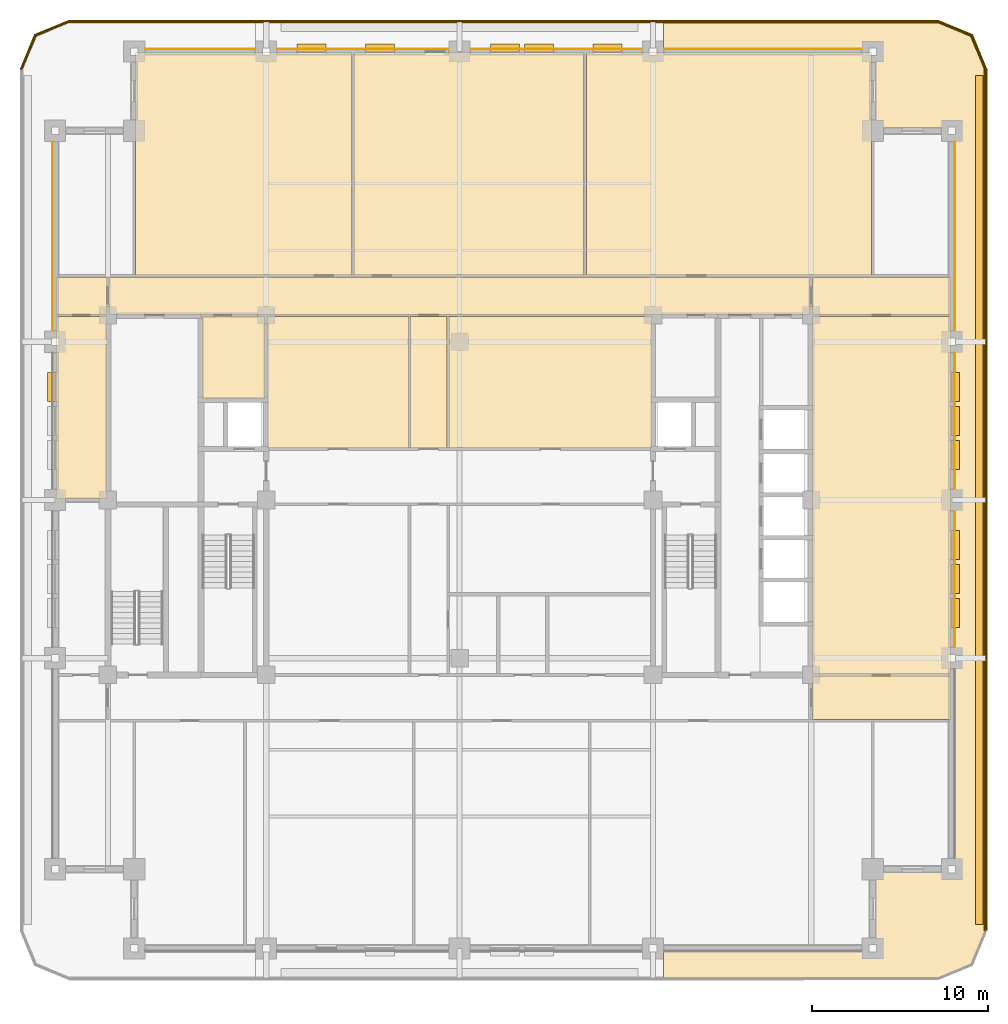
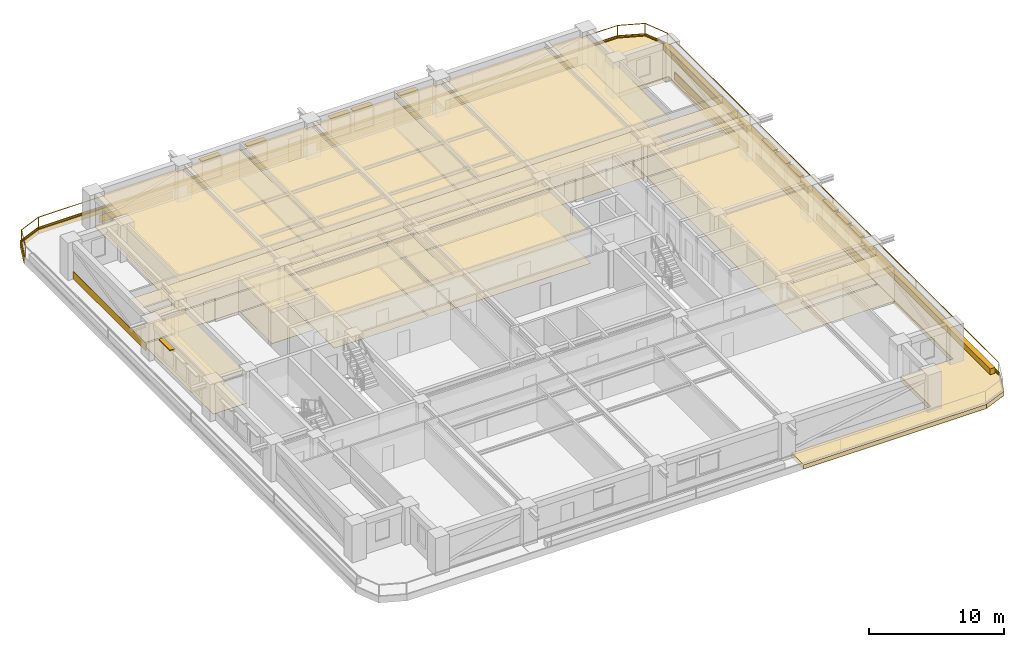
# One storey, part 13 of 13: 42 coverings, 12 shading devices, 2 railings.
"""IFC4 building model written with IfcOpenShell, lengths in metres."""

from ifc_helpers import new_model, si_unit, direction, frame, frame_2d, origin, origin_2d, place, context, subcontext, project, spatial, polyline, rectangle, outline, extrude, material, layer, layer_set, type_object, element, save


model = new_model("IFC4")

# Units and contexts
model_context = context("Model", 3, precision=1e-05, world=origin(), true_north=direction((0.0, 1.0)))
body_context = subcontext(model_context, "Body", "Model", "MODEL_VIEW")
ifc_project = project(units=[si_unit("LENGTHUNIT", "METRE"), si_unit("AREAUNIT", "SQUARE_METRE"), si_unit("VOLUMEUNIT", "CUBIC_METRE"), si_unit("PLANEANGLEUNIT", "RADIAN"), si_unit("MASSUNIT", "GRAM", prefix="KILO")], contexts=[model_context])

# Site, building, storey
site_placement = place(None, origin())
site = spatial("IfcSite", under=ifc_project, at=site_placement, CompositionType="ELEMENT")
building_placement = place(site_placement, origin())
building = spatial("IfcBuilding", under=site, at=building_placement, Name="Zulmaris Gate Convention Tower", CompositionType="ELEMENT")
storey_placement = place(building_placement, frame((0.0, 0.0, 91.35986328125)))
storey = spatial("IfcBuildingStorey", under=building, at=storey_placement, Name="L22", CompositionType="ELEMENT", Elevation=91.35986328125)

# Coverings
ifc_material_1 = material(Name="Precast concrete C40/50", Category="concrete")
ifc_layer_1 = layer(ifc_material_1, 0.0400390625, Name="Precast concrete C40/50")
ifc_layer_set_1 = layer_set([ifc_layer_1], Name="Precast concrete C40/50")
covering_type_1 = type_object("IfcCoveringType", Name="CLAD-SPANDREL-PRECAST", PredefinedType="CLADDING", material=ifc_layer_set_1)
covering_1_placement = place(storey_placement, frame((-11.6298828125, 25.64990234375, 0.0), z_axis=(0.0, 0.0, 1.0), x_axis=(-1.0, 0.0, 0.0)))
element("IfcCovering", 1, at=covering_1_placement, inside=storey, type_object=covering_type_1, Name="CLD-L22-N-0_0", PredefinedType="CLADDING", context=body_context, shape_type="SweptSolid", body=[
    extrude(rectangle(XDim=6.240234375, YDim=0.0400390625, at=frame_2d((3.1201171875, 0.0))), origin(), (0.0, 0.0, 1.0), 0.679931640625),
])
for number, where, z_axis, x_axis, name in (
    (2, (-0.6298828125, 25.64990234375, 0.0), (0.0, 0.0, 1.0), (-1.0, 0.0, 0.0), "CLD-L22-N-1_0"),
    (3, (10.3701171875, 25.64990234375, 0.0), (0.0, 0.0, 1.0), (-1.0, 0.0, 0.0), "CLD-L22-N-2_0"),
):
    element("IfcCovering", number, at=place(storey_placement, frame(where, z_axis=z_axis, x_axis=x_axis)), inside=storey, type_object=covering_type_1, Name=name, PredefinedType="CLADDING", context=body_context, shape_type="SweptSolid", body=[
        extrude(rectangle(XDim=9.740234375, YDim=0.0400390625, at=frame_2d((4.8701171875, 0.0))), origin(), (0.0, 0.0, 1.0), 0.679931640625),
    ])
covering_2_placement = place(storey_placement, frame((22.8701171875, 25.64990234375, 0.0), z_axis=(0.0, 0.0, 1.0), x_axis=(-1.0, 0.0, 0.0)))
element("IfcCovering", 4, at=covering_2_placement, inside=storey, type_object=covering_type_1, Name="CLD-L22-N-3_0", PredefinedType="CLADDING", context=body_context, shape_type="SweptSolid", body=[
    extrude(rectangle(XDim=11.240234375, YDim=0.0400390625, at=frame_2d((5.6201171875, 0.0))), origin(), (0.0, 0.0, 1.0), 0.679931640625),
])
for number, where, z_axis, x_axis, name in (
    (5, (28.14990234375, -8.3701171875, 0.0), (0.0, 0.0, 1.0), (0.0, 1.0, 0.0), "CLD-L22-E-1_0"),
    (6, (28.14990234375, 0.6298828125, 0.0), (0.0, 0.0, 1.0), (0.0, 1.0, 0.0), "CLD-L22-E-2_0"),
):
    element("IfcCovering", number, at=place(storey_placement, frame(where, z_axis=z_axis, x_axis=x_axis)), inside=storey, type_object=covering_type_1, Name=name, PredefinedType="CLADDING", context=body_context, shape_type="SweptSolid", body=[
        extrude(rectangle(XDim=7.740234375, YDim=0.0400390625, at=frame_2d((3.8701171875, 0.0))), origin(), (0.0, 0.0, 1.0), 0.679931640625),
    ])
for number, where, z_axis, x_axis, name in (
    (7, (28.14990234375, 9.6298828125, 0.0), (0.0, 0.0, 1.0), (0.0, 1.0, 0.0), "CLD-L22-E-3_0"),
    (8, (-23.14990234375, 20.3701171875, 0.0), (0.0, 0.0, 1.0), (0.0, -1.0, 0.0), "CLD-L22-W-3_0"),
):
    element("IfcCovering", number, at=place(storey_placement, frame(where, z_axis=z_axis, x_axis=x_axis)), inside=storey, type_object=covering_type_1, Name=name, PredefinedType="CLADDING", context=body_context, shape_type="SweptSolid", body=[
        extrude(rectangle(XDim=10.740234375, YDim=0.0400390625, at=frame_2d((5.3701171875, 0.0))), origin(), (0.0, 0.0, 1.0), 0.679931640625),
    ])
ifc_material_2 = material(Name="White Glazed Architectural Precast Concrete C40/50", Category="concrete")
ifc_layer_2 = layer(ifc_material_2, 0.239990234375, Name="White Glazed Architectural Precast Concrete C40/50")
ifc_layer_set_2 = layer_set([ifc_layer_2], Name="White Glazed Architectural Precast Concrete C40/50")
covering_type_2 = type_object("IfcCoveringType", Name="CLAD-TRAY-DECK", PredefinedType="CLADDING", material=ifc_layer_set_2)
covering_3_placement = place(storey_placement, frame((0.0, 0.0, -0.425048828125)))
element("IfcCovering", 9, at=covering_3_placement, inside=storey, type_object=covering_type_2, Name="L22 East Rounded-Fascia Planter Tray Deck", PredefinedType="CLADDING", context=body_context, shape_type="SweptSolid", body=[
    extrude(outline(polyline([(27.199951171875, 27.300048828125), (29.179931640625, 26.47998046875), (30.0, 24.5), (30.0, -24.5), (29.179931640625, -26.47998046875), (27.199951171875, -27.300048828125), (11.60205078125, -27.300048828125), (11.60205078125, -25.5), (23.5, -25.5), (23.5, -21.0), (28.0, -21.0), (28.0, 21.0), (23.5, 21.0), (23.5, 25.5), (11.60205078125, 25.5), (11.60205078125, 27.300048828125), (27.199951171875, 27.300048828125)])), origin(), (0.0, 0.0, 1.0), 0.385009765625),
])
ifc_layer_3 = layer(ifc_material_2, 0.080078125, Name="White Glazed Architectural Precast Concrete C40/50")
ifc_layer_set_3 = layer_set([ifc_layer_3], Name="White Glazed Architectural Precast Concrete C40/50")
covering_type_3 = type_object("IfcCoveringType", Name="CLAD-TRAY-FASCIA", PredefinedType="CLADDING", material=ifc_layer_set_3)
covering_4_placement = place(storey_placement, frame((29.9599609375, -24.5, -0.46484375), z_axis=(0.0, 0.0, 1.0), x_axis=(0.0, 1.0, 0.0)))
element("IfcCovering", 10, at=covering_4_placement, inside=storey, type_object=covering_type_3, Name="FSC-L22-TR-05", PredefinedType="CLADDING", context=body_context, shape_type="SweptSolid", body=[
    extrude(rectangle(XDim=49.0, YDim=0.080078125, at=frame_2d((24.5, 0.0))), origin(), (0.0, 0.0, 1.0), 0.5849609375),
])
covering_5_placement = place(storey_placement, frame((29.962890625, 24.484619140625, -0.46484375), z_axis=(0.0, 0.0, 1.0), x_axis=(-0.382656984709, 0.923890487046, 0.0)))
element("IfcCovering", 11, at=covering_5_placement, inside=storey, type_object=covering_type_3, Name="FSC-L22-TR-06", PredefinedType="CLADDING", context=body_context, shape_type="SweptSolid", body=[
    extrude(rectangle(XDim=2.14306640625, YDim=0.080078125, at=frame_2d((1.071533203125, 0.0))), origin(), (0.0, 0.0, 1.0), 0.5849609375),
])
covering_6_placement = place(storey_placement, frame((29.16455078125, 26.44287109375, -0.46484375), z_axis=(0.0, 0.0, 1.0), x_axis=(-0.923873803533, 0.382697263049, 0.0)))
element("IfcCovering", 12, at=covering_6_placement, inside=storey, type_object=covering_type_3, Name="FSC-L22-TR-07", PredefinedType="CLADDING", context=body_context, shape_type="SweptSolid", body=[
    extrude(rectangle(XDim=2.142822265625, YDim=0.080078125, at=frame_2d((1.0712890625, 0.0))), origin(), (0.0, 0.0, 1.0), 0.5849609375),
])
covering_7_placement = place(storey_placement, frame((27.199951171875, 27.260009765625, -0.46484375), z_axis=(0.0, 0.0, 1.0), x_axis=(-1.0, 0.0, 0.0)))
element("IfcCovering", 13, at=covering_7_placement, inside=storey, type_object=covering_type_3, Name="FSC-L22-TR-08", PredefinedType="CLADDING", context=body_context, shape_type="SweptSolid", body=[
    extrude(rectangle(XDim=49.39990234375, YDim=0.080078125, at=frame_2d((24.699951171875, 0.0))), origin(), (0.0, 0.0, 1.0), 0.5849609375),
])
covering_8_placement = place(storey_placement, frame((-22.184814453125, 27.262939453125, -0.46484375), z_axis=(0.0, 0.0, 1.0), x_axis=(-0.923873803533, -0.382697263049, 0.0)))
element("IfcCovering", 14, at=covering_8_placement, inside=storey, type_object=covering_type_3, Name="FSC-L22-TR-09", PredefinedType="CLADDING", context=body_context, shape_type="SweptSolid", body=[
    extrude(rectangle(XDim=2.142822265625, YDim=0.080078125, at=frame_2d((1.0712890625, 0.0))), origin(), (0.0, 0.0, 1.0), 0.5849609375),
])
covering_9_placement = place(storey_placement, frame((-24.142822265625, 26.464599609375, -0.46484375), z_axis=(0.0, 0.0, 1.0), x_axis=(-0.382656984709, -0.923890487046, 0.0)))
element("IfcCovering", 15, at=covering_9_placement, inside=storey, type_object=covering_type_3, Name="FSC-L22-TR-10", PredefinedType="CLADDING", context=body_context, shape_type="SweptSolid", body=[
    extrude(rectangle(XDim=2.14306640625, YDim=0.080078125, at=frame_2d((1.071533203125, 0.0))), origin(), (0.0, 0.0, 1.0), 0.5849609375),
])
ifc_material_3 = material(Name="Mineral Fibre Acoustic Ceiling Tile")
ifc_layer_4 = layer(ifc_material_3, 0.02001953125, Name="Mineral Fibre Acoustic Ceiling Tile")
ifc_layer_set_4 = layer_set([ifc_layer_4], Name="Mineral Fibre Acoustic Ceiling Tile")
covering_type_4 = type_object("IfcCoveringType", Name="CLG-ACOUSTIC-600", PredefinedType="CEILING", material=ifc_layer_set_4)
covering_10_placement = place(storey_placement, frame((0.0, 0.0, 2.778076171875)))
element("IfcCovering", 16, at=covering_10_placement, inside=storey, type_object=covering_type_4, Name="CLG-L22-R11", PredefinedType="CEILING", context=body_context, shape_type="SweptSolid", body=[
    extrude(outline(polyline([(-14.639892578125, 5.760009765625), (-11.06005859375, 5.760009765625), (-11.06005859375, 10.43994140625), (-14.639892578125, 10.43994140625), (-14.639892578125, 5.760009765625)])), origin(), (0.0, 0.0, 1.0), 0.02001953125),
])
covering_11_placement = place(storey_placement, frame((0.0, 0.0, 2.778076171875)))
element("IfcCovering", 17, at=covering_11_placement, inside=storey, type_object=covering_type_4, Name="CLG-L22-R25", PredefinedType="CEILING", context=body_context, shape_type="SweptSolid", body=[
    extrude(outline(polyline([(-19.93994140625, 10.56005859375), (19.93994140625, 10.56005859375), (19.93994140625, 12.68994140625), (-19.93994140625, 12.68994140625), (-19.93994140625, 10.56005859375)])), origin(), (0.0, 0.0, 1.0), 0.02001953125),
])
covering_12_placement = place(storey_placement, frame((0.0, 0.0, 2.778076171875)))
element("IfcCovering", 18, at=covering_12_placement, inside=storey, type_object=covering_type_4, Name="CLG-L22-R28", PredefinedType="CEILING", context=body_context, shape_type="SweptSolid", body=[
    extrude(outline(polyline([(-2.7900390625, 2.9599609375), (-0.7099609375, 2.9599609375), (-0.7099609375, 10.43994140625), (-2.7900390625, 10.43994140625), (-2.7900390625, 2.9599609375)])), origin(), (0.0, 0.0, 1.0), 0.02001953125),
])
covering_13_placement = place(storey_placement, frame((0.0, 0.0, 2.679931640625)))
element("IfcCovering", 19, at=covering_13_placement, inside=storey, type_object=covering_type_4, Name="CLG-L22-R30", PredefinedType="CEILING", context=body_context, shape_type="SweptSolid", body=[
    extrude(outline(polyline([(-18.43994140625, 12.81005859375), (-6.110107421875, 12.81005859375), (-6.110107421875, 25.43994140625), (-18.43994140625, 25.43994140625), (-18.43994140625, 12.81005859375)])), origin(), (0.0, 0.0, 1.0), 0.02001953125),
])
covering_14_placement = place(storey_placement, frame((0.0, 0.0, 2.679931640625)))
element("IfcCovering", 20, at=covering_14_placement, inside=storey, type_object=covering_type_4, Name="CLG-L22-R31", PredefinedType="CEILING", context=body_context, shape_type="SweptSolid", body=[
    extrude(outline(polyline([(-5.989990234375, 12.81005859375), (7.090087890625, 12.81005859375), (7.090087890625, 25.43994140625), (-5.989990234375, 25.43994140625), (-5.989990234375, 12.81005859375)])), origin(), (0.0, 0.0, 1.0), 0.02001953125),
])
covering_15_placement = place(storey_placement, frame((0.0, 0.0, 2.679931640625)))
element("IfcCovering", 21, at=covering_15_placement, inside=storey, type_object=covering_type_4, Name="CLG-L22-R32", PredefinedType="CEILING", context=body_context, shape_type="SweptSolid", body=[
    extrude(outline(polyline([(7.2099609375, 12.81005859375), (23.43994140625, 12.81005859375), (23.43994140625, 25.43994140625), (7.2099609375, 25.43994140625), (7.2099609375, 12.81005859375)])), origin(), (0.0, 0.0, 1.0), 0.02001953125),
])
covering_16_placement = place(storey_placement, frame((0.0, 0.0, 2.778076171875)))
element("IfcCovering", 22, at=covering_16_placement, inside=storey, type_object=covering_type_4, Name="CLG-L22-R37", PredefinedType="CEILING", context=body_context, shape_type="SweptSolid", body=[
    extrude(outline(polyline([(-10.93994140625, 2.9599609375), (-2.909912109375, 2.9599609375), (-2.909912109375, 10.43994140625), (-10.93994140625, 10.43994140625), (-10.93994140625, 2.9599609375)])), origin(), (0.0, 0.0, 1.0), 0.02001953125),
])
covering_17_placement = place(storey_placement, frame((0.0, 0.0, 2.778076171875)))
element("IfcCovering", 23, at=covering_17_placement, inside=storey, type_object=covering_type_4, Name="CLG-L22-R38", PredefinedType="CEILING", context=body_context, shape_type="SweptSolid", body=[
    extrude(outline(polyline([(-0.590087890625, 2.9599609375), (10.93994140625, 2.9599609375), (10.93994140625, 10.43994140625), (-0.590087890625, 10.43994140625), (-0.590087890625, 2.9599609375)])), origin(), (0.0, 0.0, 1.0), 0.02001953125),
])
covering_18_placement = place(storey_placement, frame((0.0, 0.0, 2.679931640625)))
element("IfcCovering", 24, at=covering_18_placement, inside=storey, type_object=covering_type_4, Name="CLG-L22-R44", PredefinedType="CEILING", context=body_context, shape_type="SweptSolid", body=[
    extrude(outline(polyline([(-22.93994140625, 10.56005859375), (-20.06005859375, 10.56005859375), (-20.06005859375, 12.68994140625), (-22.93994140625, 12.68994140625), (-22.93994140625, 10.56005859375)])), origin(), (0.0, 0.0, 1.0), 0.02001953125),
])
covering_19_placement = place(storey_placement, frame((0.0, 0.0, 2.679931640625)))
element("IfcCovering", 25, at=covering_19_placement, inside=storey, type_object=covering_type_4, Name="CLG-L22-R46", PredefinedType="CEILING", context=body_context, shape_type="SweptSolid", body=[
    extrude(outline(polyline([(-22.93994140625, 0.06005859375), (-20.06005859375, 0.06005859375), (-20.06005859375, 10.43994140625), (-22.93994140625, 10.43994140625), (-22.93994140625, 0.06005859375)])), origin(), (0.0, 0.0, 1.0), 0.02001953125),
])
covering_20_placement = place(storey_placement, frame((0.0, 0.0, 2.679931640625)))
element("IfcCovering", 26, at=covering_20_placement, inside=storey, type_object=covering_type_4, Name="CLG-L22-R48", PredefinedType="CEILING", context=body_context, shape_type="SweptSolid", body=[
    extrude(outline(polyline([(20.06005859375, 10.56005859375), (27.93994140625, 10.56005859375), (27.93994140625, 12.68994140625), (20.06005859375, 12.68994140625), (20.06005859375, 10.56005859375)])), origin(), (0.0, 0.0, 1.0), 0.02001953125),
])
covering_21_placement = place(storey_placement, frame((0.0, 0.0, 2.679931640625)))
element("IfcCovering", 27, at=covering_21_placement, inside=storey, type_object=covering_type_4, Name="CLG-L22-R49", PredefinedType="CEILING", context=body_context, shape_type="SweptSolid", body=[
    extrude(outline(polyline([(20.06005859375, -12.489990234375), (27.93994140625, -12.489990234375), (27.93994140625, -10.010009765625), (20.06005859375, -10.010009765625), (20.06005859375, -12.489990234375)])), origin(), (0.0, 0.0, 1.0), 0.02001953125),
])
covering_22_placement = place(storey_placement, frame((0.0, 0.0, 2.679931640625)))
element("IfcCovering", 28, at=covering_22_placement, inside=storey, type_object=covering_type_4, Name="CLG-L22-R50", PredefinedType="CEILING", context=body_context, shape_type="SweptSolid", body=[
    extrude(outline(polyline([(20.06005859375, -9.889892578125), (27.93994140625, -9.889892578125), (27.93994140625, 10.43994140625), (20.06005859375, 10.43994140625), (20.06005859375, -9.889892578125)])), origin(), (0.0, 0.0, 1.0), 0.02001953125),
])
ifc_material_4 = material(Name="Woven Acoustic Wool Carpet Tile")
ifc_layer_5 = layer(ifc_material_4, 0.02001953125, Name="Woven Acoustic Wool Carpet Tile")
ifc_layer_set_5 = layer_set([ifc_layer_5], Name="Woven Acoustic Wool Carpet Tile")
covering_type_5 = type_object("IfcCoveringType", Name="FLR-CARPET-12", PredefinedType="FLOORING", material=ifc_layer_set_5)
covering_23_placement = place(storey_placement, origin())
element("IfcCovering", 29, at=covering_23_placement, inside=storey, type_object=covering_type_5, Name="FLR-L22-R11", PredefinedType="FLOORING", context=body_context, shape_type="SweptSolid", body=[
    extrude(outline(polyline([(-14.639892578125, 5.760009765625), (-11.06005859375, 5.760009765625), (-11.06005859375, 10.43994140625), (-14.639892578125, 10.43994140625), (-14.639892578125, 5.760009765625)])), origin(), (0.0, 0.0, 1.0), 0.02001953125),
])
covering_24_placement = place(storey_placement, origin())
element("IfcCovering", 30, at=covering_24_placement, inside=storey, type_object=covering_type_5, Name="FLR-L22-R25", PredefinedType="FLOORING", context=body_context, shape_type="SweptSolid", body=[
    extrude(outline(polyline([(-19.93994140625, 10.56005859375), (19.93994140625, 10.56005859375), (19.93994140625, 12.68994140625), (-19.93994140625, 12.68994140625), (-19.93994140625, 10.56005859375)])), origin(), (0.0, 0.0, 1.0), 0.02001953125),
])
covering_25_placement = place(storey_placement, origin())
element("IfcCovering", 31, at=covering_25_placement, inside=storey, type_object=covering_type_5, Name="FLR-L22-R28", PredefinedType="FLOORING", context=body_context, shape_type="SweptSolid", body=[
    extrude(outline(polyline([(-2.7900390625, 2.9599609375), (-0.7099609375, 2.9599609375), (-0.7099609375, 10.43994140625), (-2.7900390625, 10.43994140625), (-2.7900390625, 2.9599609375)])), origin(), (0.0, 0.0, 1.0), 0.02001953125),
])
covering_26_placement = place(storey_placement, origin())
element("IfcCovering", 32, at=covering_26_placement, inside=storey, type_object=covering_type_5, Name="FLR-L22-R30", PredefinedType="FLOORING", context=body_context, shape_type="SweptSolid", body=[
    extrude(outline(polyline([(-18.43994140625, 12.81005859375), (-6.110107421875, 12.81005859375), (-6.110107421875, 25.43994140625), (-18.43994140625, 25.43994140625), (-18.43994140625, 12.81005859375)])), origin(), (0.0, 0.0, 1.0), 0.02001953125),
])
covering_27_placement = place(storey_placement, origin())
element("IfcCovering", 33, at=covering_27_placement, inside=storey, type_object=covering_type_5, Name="FLR-L22-R31", PredefinedType="FLOORING", context=body_context, shape_type="SweptSolid", body=[
    extrude(outline(polyline([(-5.989990234375, 12.81005859375), (7.090087890625, 12.81005859375), (7.090087890625, 25.43994140625), (-5.989990234375, 25.43994140625), (-5.989990234375, 12.81005859375)])), origin(), (0.0, 0.0, 1.0), 0.02001953125),
])
covering_28_placement = place(storey_placement, origin())
element("IfcCovering", 34, at=covering_28_placement, inside=storey, type_object=covering_type_5, Name="FLR-L22-R32", PredefinedType="FLOORING", context=body_context, shape_type="SweptSolid", body=[
    extrude(outline(polyline([(7.2099609375, 12.81005859375), (23.43994140625, 12.81005859375), (23.43994140625, 25.43994140625), (7.2099609375, 25.43994140625), (7.2099609375, 12.81005859375)])), origin(), (0.0, 0.0, 1.0), 0.02001953125),
])
covering_29_placement = place(storey_placement, origin())
element("IfcCovering", 35, at=covering_29_placement, inside=storey, type_object=covering_type_5, Name="FLR-L22-R38", PredefinedType="FLOORING", context=body_context, shape_type="SweptSolid", body=[
    extrude(outline(polyline([(-0.590087890625, 2.9599609375), (10.93994140625, 2.9599609375), (10.93994140625, 10.43994140625), (-0.590087890625, 10.43994140625), (-0.590087890625, 2.9599609375)])), origin(), (0.0, 0.0, 1.0), 0.02001953125),
])
covering_30_placement = place(storey_placement, origin())
element("IfcCovering", 36, at=covering_30_placement, inside=storey, type_object=covering_type_5, Name="FLR-L22-R44", PredefinedType="FLOORING", context=body_context, shape_type="SweptSolid", body=[
    extrude(outline(polyline([(-22.93994140625, 10.56005859375), (-20.06005859375, 10.56005859375), (-20.06005859375, 12.68994140625), (-22.93994140625, 12.68994140625), (-22.93994140625, 10.56005859375)])), origin(), (0.0, 0.0, 1.0), 0.02001953125),
])
covering_31_placement = place(storey_placement, origin())
element("IfcCovering", 37, at=covering_31_placement, inside=storey, type_object=covering_type_5, Name="FLR-L22-R46", PredefinedType="FLOORING", context=body_context, shape_type="SweptSolid", body=[
    extrude(outline(polyline([(-22.93994140625, 0.06005859375), (-20.06005859375, 0.06005859375), (-20.06005859375, 10.43994140625), (-22.93994140625, 10.43994140625), (-22.93994140625, 0.06005859375)])), origin(), (0.0, 0.0, 1.0), 0.02001953125),
])
covering_32_placement = place(storey_placement, origin())
element("IfcCovering", 38, at=covering_32_placement, inside=storey, type_object=covering_type_5, Name="FLR-L22-R48", PredefinedType="FLOORING", context=body_context, shape_type="SweptSolid", body=[
    extrude(outline(polyline([(20.06005859375, 10.56005859375), (27.93994140625, 10.56005859375), (27.93994140625, 12.68994140625), (20.06005859375, 12.68994140625), (20.06005859375, 10.56005859375)])), origin(), (0.0, 0.0, 1.0), 0.02001953125),
])
covering_33_placement = place(storey_placement, origin())
element("IfcCovering", 39, at=covering_33_placement, inside=storey, type_object=covering_type_5, Name="FLR-L22-R49", PredefinedType="FLOORING", context=body_context, shape_type="SweptSolid", body=[
    extrude(outline(polyline([(20.06005859375, -12.489990234375), (27.93994140625, -12.489990234375), (27.93994140625, -10.010009765625), (20.06005859375, -10.010009765625), (20.06005859375, -12.489990234375)])), origin(), (0.0, 0.0, 1.0), 0.02001953125),
])
covering_34_placement = place(storey_placement, origin())
element("IfcCovering", 40, at=covering_34_placement, inside=storey, type_object=covering_type_5, Name="FLR-L22-R50", PredefinedType="FLOORING", context=body_context, shape_type="SweptSolid", body=[
    extrude(outline(polyline([(20.06005859375, -9.889892578125), (27.93994140625, -9.889892578125), (27.93994140625, 10.43994140625), (20.06005859375, 10.43994140625), (20.06005859375, -9.889892578125)])), origin(), (0.0, 0.0, 1.0), 0.02001953125),
])
ifc_material_5 = material(Name="Polished Granite Terrazzo Tile", Category="masonry")
ifc_layer_6 = layer(ifc_material_5, 0.02001953125, Name="Polished Granite Terrazzo Tile")
ifc_layer_set_6 = layer_set([ifc_layer_6], Name="Polished Granite Terrazzo Tile")
covering_type_6 = type_object("IfcCoveringType", Name="FLR-TERRAZZO-30", PredefinedType="FLOORING", material=ifc_layer_set_6)
covering_35_placement = place(storey_placement, origin())
element("IfcCovering", 41, at=covering_35_placement, inside=storey, type_object=covering_type_6, Name="FLR-L22-R37", PredefinedType="FLOORING", context=body_context, shape_type="SweptSolid", body=[
    extrude(outline(polyline([(-10.93994140625, 2.9599609375), (-2.909912109375, 2.9599609375), (-2.909912109375, 10.43994140625), (-10.93994140625, 10.43994140625), (-10.93994140625, 2.9599609375)])), origin(), (0.0, 0.0, 1.0), 0.02001953125),
])
ifc_material_6 = material(Name="Botanical Green Glazed Precast Concrete C40/50", Category="concrete")
ifc_layer_7 = layer(ifc_material_6, 0.419921875, Name="Botanical Green Glazed Precast Concrete C40/50")
ifc_layer_set_7 = layer_set([ifc_layer_7], Name="Botanical Green Glazed Precast Concrete C40/50")
covering_type_7 = type_object("IfcCoveringType", Name="PLANTER-BOX-200", PredefinedType="CLADDING", material=ifc_layer_set_7)
covering_36_placement = place(storey_placement, frame((0.0, 0.0, -0.0400390625)))
element("IfcCovering", 42, at=covering_36_placement, inside=storey, type_object=covering_type_7, Name="L22 E Full-Length Balcony Tree Planter Trough", PredefinedType="CLADDING", context=body_context, shape_type="SweptSolid", body=[
    extrude(outline(polyline([(29.340087890625, -24.14990234375), (29.760009765625, -24.14990234375), (29.760009765625, 24.14990234375), (29.340087890625, 24.14990234375), (29.340087890625, -24.14990234375)])), origin(), (0.0, 0.0, 1.0), 0.52001953125),
])

# Railings
ifc_material_7 = material(Name="Laminated Glass and Stainless Steel", Category="steel")
railing_type = type_object("IfcRailingType", Name="RL-BALC-1150", PredefinedType="BALUSTRADE", material=ifc_material_7)
railing_1_placement = place(storey_placement, frame((29.8798828125, -24.5, -0.0400390625)))
element("IfcRailing", 43, at=railing_1_placement, inside=storey, type_object=railing_type, Name="RL-L22-BALC-E", PredefinedType="BALUSTRADE", context=body_context, shape_type="SweptSolid", body=[
    extrude(rectangle(XDim=0.048095703125, YDim=0.048095703125, at=origin_2d()), frame((0.0, 0.0, 1.1259765625), z_axis=(0.0, 1.0, 0.0), x_axis=(-1.0, 0.0, 0.0)), (0.0, 0.0, 1.0), 49.0),
    extrude(rectangle(XDim=0.048095703125, YDim=0.048095703125, at=origin_2d()), frame((0.0, 0.0, 0.02392578125), z_axis=(0.0, 1.0, 0.0), x_axis=(-1.0, 0.0, 0.0)), (0.0, 0.0, 1.0), 49.0),
    extrude(rectangle(XDim=0.0419921875, YDim=0.0419921875, at=origin_2d()), origin(), (0.0, 0.0, 1.0), 1.101806640625),
    extrude(rectangle(XDim=0.0419921875, YDim=0.0419921875, at=origin_2d()), frame((0.0, 12.25, 0.0)), (0.0, 0.0, 1.0), 1.101806640625),
    extrude(rectangle(XDim=0.0419921875, YDim=0.0419921875, at=origin_2d()), frame((0.0, 24.5, 0.0)), (0.0, 0.0, 1.0), 1.101806640625),
    extrude(rectangle(XDim=0.0419921875, YDim=0.0419921875, at=origin_2d()), frame((0.0, 36.75, 0.0)), (0.0, 0.0, 1.0), 1.101806640625),
    extrude(rectangle(XDim=0.0419921875, YDim=0.0419921875, at=origin_2d()), frame((0.0, 49.0, 0.0)), (0.0, 0.0, 1.0), 1.101806640625),
])
railing_2_placement = place(storey_placement, frame((29.8798828125, 24.5, -0.0400390625)))
element("IfcRailing", 44, at=railing_2_placement, inside=storey, type_object=railing_type, Name="RL-L22-BALC-N", PredefinedType="BALUSTRADE", context=body_context, shape_type="SweptSolid", body=[
    extrude(rectangle(XDim=0.048095703125, YDim=0.048095703125, at=origin_2d()), frame((0.0, 0.0, 1.1259765625), z_axis=(-0.382670664694, 0.92388482095, 0.0), x_axis=(-0.92388482095, -0.382670664694, 0.0)), (0.0, 0.0, 1.0), 2.051025390625),
    extrude(rectangle(XDim=0.048095703125, YDim=0.048095703125, at=origin_2d()), frame((0.0, 0.0, 0.02392578125), z_axis=(-0.382670664694, 0.92388482095, 0.0), x_axis=(-0.92388482095, -0.382670664694, 0.0)), (0.0, 0.0, 1.0), 2.051025390625),
    extrude(rectangle(XDim=0.048095703125, YDim=0.048095703125, at=origin_2d()), frame((-0.784912109375, 1.89501953125, 1.1259765625), z_axis=(-0.92388482095, 0.382670664694, 0.0), x_axis=(-0.382670664694, -0.92388482095, 0.0)), (0.0, 0.0, 1.0), 2.051025390625),
    extrude(rectangle(XDim=0.048095703125, YDim=0.048095703125, at=origin_2d()), frame((-0.784912109375, 1.89501953125, 0.02392578125), z_axis=(-0.92388482095, 0.382670664694, 0.0), x_axis=(-0.382670664694, -0.92388482095, 0.0)), (0.0, 0.0, 1.0), 2.051025390625),
    extrude(rectangle(XDim=0.048095703125, YDim=0.048095703125, at=origin_2d()), frame((-2.679931640625, 2.679931640625, 1.1259765625), z_axis=(-1.0, 0.0, 0.0), x_axis=(0.0, -1.0, 0.0)), (0.0, 0.0, 1.0), 49.39990234375),
    extrude(rectangle(XDim=0.048095703125, YDim=0.048095703125, at=origin_2d()), frame((-2.679931640625, 2.679931640625, 0.02392578125), z_axis=(-1.0, 0.0, 0.0), x_axis=(0.0, -1.0, 0.0)), (0.0, 0.0, 1.0), 49.39990234375),
    extrude(rectangle(XDim=0.048095703125, YDim=0.048095703125, at=origin_2d()), frame((-52.079833984375, 2.679931640625, 1.1259765625), z_axis=(-0.92388482095, -0.382670664694, 0.0), x_axis=(0.382670664694, -0.92388482095, 0.0)), (0.0, 0.0, 1.0), 2.051025390625),
    extrude(rectangle(XDim=0.048095703125, YDim=0.048095703125, at=origin_2d()), frame((-52.079833984375, 2.679931640625, 0.02392578125), z_axis=(-0.92388482095, -0.382670664694, 0.0), x_axis=(0.382670664694, -0.92388482095, 0.0)), (0.0, 0.0, 1.0), 2.051025390625),
    extrude(rectangle(XDim=0.048095703125, YDim=0.048095703125, at=origin_2d()), frame((-53.974853515625, 1.89501953125, 1.1259765625), z_axis=(-0.382670664694, -0.92388482095, 0.0), x_axis=(0.92388482095, -0.382670664694, 0.0)), (0.0, 0.0, 1.0), 2.051025390625),
    extrude(rectangle(XDim=0.048095703125, YDim=0.048095703125, at=origin_2d()), frame((-53.974853515625, 1.89501953125, 0.02392578125), z_axis=(-0.382670664694, -0.92388482095, 0.0), x_axis=(0.92388482095, -0.382670664694, 0.0)), (0.0, 0.0, 1.0), 2.051025390625),
    extrude(rectangle(XDim=0.0419921875, YDim=0.0419921875, at=origin_2d()), origin(), (0.0, 0.0, 1.0), 1.101806640625),
    extrude(rectangle(XDim=0.0419921875, YDim=0.0419921875, at=origin_2d()), frame((-0.784912109375, 1.89501953125, 0.0)), (0.0, 0.0, 1.0), 1.101806640625),
    extrude(rectangle(XDim=0.0419921875, YDim=0.0419921875, at=origin_2d()), frame((-2.679931640625, 2.679931640625, 0.0)), (0.0, 0.0, 1.0), 1.101806640625),
    extrude(rectangle(XDim=0.0419921875, YDim=0.0419921875, at=origin_2d()), frame((-15.02978515625, 2.679931640625, 0.0)), (0.0, 0.0, 1.0), 1.101806640625),
    extrude(rectangle(XDim=0.0419921875, YDim=0.0419921875, at=origin_2d()), frame((-27.3798828125, 2.679931640625, 0.0)), (0.0, 0.0, 1.0), 1.101806640625),
    extrude(rectangle(XDim=0.0419921875, YDim=0.0419921875, at=origin_2d()), frame((-39.72998046875, 2.679931640625, 0.0)), (0.0, 0.0, 1.0), 1.101806640625),
    extrude(rectangle(XDim=0.0419921875, YDim=0.0419921875, at=origin_2d()), frame((-52.079833984375, 2.679931640625, 0.0)), (0.0, 0.0, 1.0), 1.101806640625),
    extrude(rectangle(XDim=0.0419921875, YDim=0.0419921875, at=origin_2d()), frame((-53.974853515625, 1.89501953125, 0.0)), (0.0, 0.0, 1.0), 1.101806640625),
    extrude(rectangle(XDim=0.0419921875, YDim=0.0419921875, at=origin_2d()), frame((-54.759765625, 0.0, 0.0)), (0.0, 0.0, 1.0), 1.101806640625),
])

# Shading devices
ifc_material_8 = material(Name="Glazed Ceramic Terracotta", Category="masonry")
ifc_layer_8 = layer(ifc_material_8, 0.070068359375, Name="Glazed Ceramic Terracotta")
ifc_layer_set_8 = layer_set([ifc_layer_8], Name="Glazed Ceramic Terracotta")
shading_device_type = type_object("IfcShadingDeviceType", Name="SHD-SUNSHADE-TC", PredefinedType="AWNING", material=ifc_layer_set_8)
for number, where, z_axis, x_axis, name in (
    (45, (-3.700927734375, 25.719970703125, 2.530029296875), (0.0, 0.0, 1.0), (-1.0, 0.0, 0.0), "SHD-EW-L22-N-1_0-2"),
    (46, (-7.596923828125, 25.719970703125, 2.530029296875), (0.0, 0.0, 1.0), (-1.0, 0.0, 0.0), "SHD-EW-L22-N-1_0-4"),
    (47, (9.2470703125, 25.719970703125, 2.530029296875), (0.0, 0.0, 1.0), (-1.0, 0.0, 0.0), "SHD-EW-L22-N-2_0-1"),
    (48, (5.35107421875, 25.719970703125, 2.530029296875), (0.0, 0.0, 1.0), (-1.0, 0.0, 0.0), "SHD-EW-L22-N-2_0-3"),
    (49, (3.403076171875, 25.719970703125, 2.530029296875), (0.0, 0.0, 1.0), (-1.0, 0.0, 0.0), "SHD-EW-L22-N-2_0-4"),
):
    element("IfcShadingDevice", number, at=place(storey_placement, frame(where, z_axis=z_axis, x_axis=x_axis)), inside=storey, type_object=shading_device_type, Name=name, PredefinedType="AWNING", context=body_context, shape_type="SweptSolid", body=[
        extrude(rectangle(XDim=1.650146484375, YDim=0.43994140625, at=frame_2d((0.8251953125, 0.0))), origin(), (0.0, 0.0, 1.0), 0.070068359375),
    ])
for number, where, z_axis, x_axis, name in (
    (50, (28.219970703125, -7.260009765625, 2.530029296875), (0.0, 0.0, 1.0), (0.0, 1.0, 0.0), "SHD-EW-L22-E-1_0-1"),
    (51, (28.219970703125, -5.324951171875, 2.530029296875), (0.0, 0.0, 1.0), (0.0, 1.0, 0.0), "SHD-EW-L22-E-1_0-2"),
    (52, (28.219970703125, -3.389892578125, 2.530029296875), (0.0, 0.0, 1.0), (0.0, 1.0, 0.0), "SHD-EW-L22-E-1_0-3"),
    (53, (28.219970703125, 1.739990234375, 2.530029296875), (0.0, 0.0, 1.0), (0.0, 1.0, 0.0), "SHD-EW-L22-E-2_0-1"),
    (54, (28.219970703125, 3.675048828125, 2.530029296875), (0.0, 0.0, 1.0), (0.0, 1.0, 0.0), "SHD-EW-L22-E-2_0-2"),
    (55, (28.219970703125, 5.610107421875, 2.530029296875), (0.0, 0.0, 1.0), (0.0, 1.0, 0.0), "SHD-EW-L22-E-2_0-3"),
    (56, (-23.219970703125, 7.260009765625, 2.530029296875), (0.0, 0.0, 1.0), (0.0, -1.0, 0.0), "SHD-EW-L22-W-2_0-1"),
):
    element("IfcShadingDevice", number, at=place(storey_placement, frame(where, z_axis=z_axis, x_axis=x_axis)), inside=storey, type_object=shading_device_type, Name=name, PredefinedType="AWNING", context=body_context, shape_type="SweptSolid", body=[
        extrude(rectangle(XDim=1.64990234375, YDim=0.43994140625, at=frame_2d((0.824951171875, 0.0))), origin(), (0.0, 0.0, 1.0), 0.070068359375),
    ])

save(model, "model.ifc")
